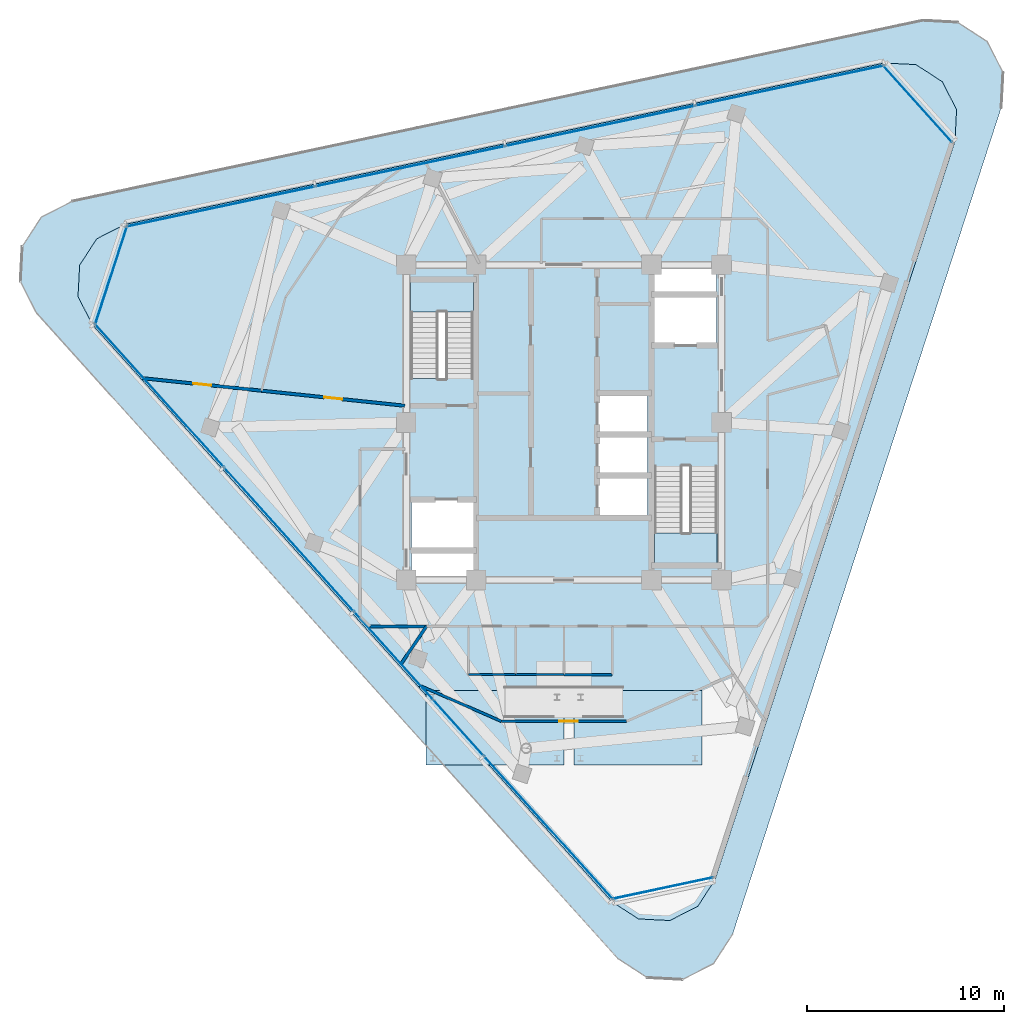
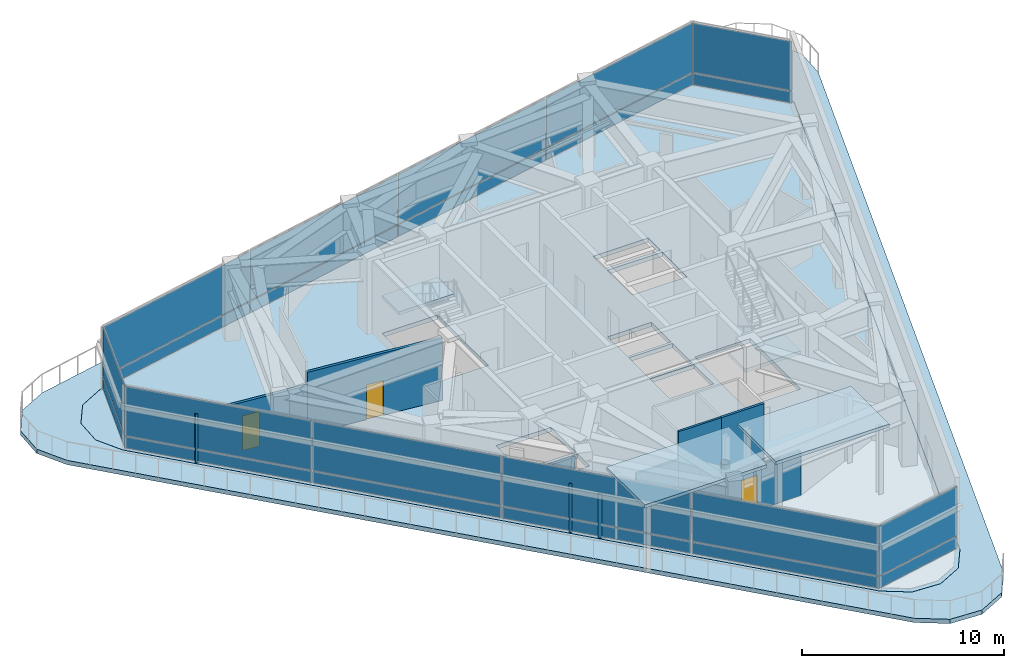
# One storey, part 8 of 15: 22 plates, 9 walls, 6 slabs, 3 doors, 3 openings, 7 elements without a shape of their own.
"""IFC4 building model written with IfcOpenShell, lengths in metres."""

from ifc_helpers import new_model, si_unit, direction, frame, frame_2d, origin, origin_2d, place, context, subcontext, project, spatial, polyline, rectangle, outline, extrude, material, layer, layer_set, type_object, element, fill, aggregate, save


model = new_model("IFC4")

# Units and contexts
model_context = context("Model", 3, precision=1e-05, world=origin(), true_north=direction((0.0, 1.0)))
body_context = subcontext(model_context, "Body", "Model", "MODEL_VIEW")
ifc_project = project(units=[si_unit("LENGTHUNIT", "METRE"), si_unit("AREAUNIT", "SQUARE_METRE"), si_unit("VOLUMEUNIT", "CUBIC_METRE"), si_unit("PLANEANGLEUNIT", "RADIAN"), si_unit("MASSUNIT", "GRAM", prefix="KILO")], contexts=[model_context])

# Site, building, storey
site_placement = place(None, origin())
site = spatial("IfcSite", under=ifc_project, at=site_placement, CompositionType="ELEMENT")
building_placement = place(site_placement, origin())
building = spatial("IfcBuilding", under=site, at=building_placement, Name="Terralouvre Media Tower", CompositionType="ELEMENT")
storey_placement = place(building_placement, frame((0.0, 0.0, 312.800048828125)))
storey = spatial("IfcBuildingStorey", under=building, at=storey_placement, Name="L81", CompositionType="ELEMENT", Elevation=312.800048828125)

# Slabs
ifc_material_1 = material(Name="Extruded terracotta baguette sunshade louvres", Category="masonry")
ifc_layer_1 = layer(ifc_material_1, 0.199951171875, Name="Podium Garden Pergola Pavilion Roof Slab RF-PAV1")
ifc_layer_set_1 = layer_set([ifc_layer_1], Name="Extruded terracotta baguette sunshade louvres")
slab_type_1 = type_object("IfcSlabType", Name="Podium Garden Pergola Pavilion Roof Slab RF-PAV1", PredefinedType="ROOF", material=ifc_layer_set_1)
slab_1_placement = place(storey_placement, frame((0.0, 0.0, 4.099853515625)))
element("IfcSlab", 1, at=slab_1_placement, inside=storey, type_object=slab_type_1, Name="Crown Terrace Pergola Canopy West", PredefinedType="ROOF", context=body_context, shape_type="SweptSolid", body=[
    extrude(outline(polyline([(-7.0, -17.39990234375), (0.0, -17.39990234375), (0.0, -13.60009765625), (-7.0, -13.60009765625), (-7.0, -17.39990234375)])), origin(), (0.0, 0.0, 1.0), 0.2001953125),
])
slab_2_placement = place(storey_placement, frame((0.0, 0.0, 4.099853515625)))
element("IfcSlab", 2, at=slab_2_placement, inside=storey, type_object=slab_type_1, Name="Crown Terrace Pergola Canopy East", PredefinedType="ROOF", context=body_context, shape_type="SweptSolid", body=[
    extrude(outline(polyline([(0.5, -17.39990234375), (7.0, -17.39990234375), (7.0, -13.60009765625), (0.5, -13.60009765625), (0.5, -17.39990234375)])), origin(), (0.0, 0.0, 1.0), 0.2001953125),
])
ifc_material_2 = material(Name="Concrete C45/55", Category="concrete")
ifc_layer_2 = layer(ifc_material_2, 0.260009765625, Name="Raised Podium and Conservatory Roof Garden Slab S-RFG260")
ifc_layer_set_2 = layer_set([ifc_layer_2], Name="Concrete C45/55")
slab_type_2 = type_object("IfcSlabType", Name="Raised Podium and Conservatory Roof Garden Slab S-RFG260", PredefinedType="ROOF", material=ifc_layer_set_2)
slab_3_placement = place(storey_placement, frame((0.0, 0.0, -0.260009765625), z_axis=(0.0, 0.0, 1.0), x_axis=(0.309016994375, 0.951056516295, 0.0)))
element("IfcSlab", 3, at=slab_3_placement, inside=storey, type_object=slab_type_2, Name="L81 Crown Roof Garden Terrace Deck", PredefinedType="ROOF", context=body_context, shape_type="SweptSolid", body=[
    extrude(outline(polyline([(-25.0390625, -11.016357421875), (-25.5, -12.736328125), (-25.0390625, -14.456298828125), (-23.780029296875, -15.715576171875), (-22.06005859375, -16.17626953125), (22.06005859375, -16.17626953125), (23.780029296875, -15.715576171875), (25.0390625, -14.456298828125), (25.5, -12.736328125), (25.0390625, -11.016357421875), (2.97900390625, 27.192626953125), (1.719970703125, 28.451904296875), (0.0, 28.91259765625), (-1.719970703125, 28.451904296875), (-2.97900390625, 27.192626953125), (-25.0390625, -11.016357421875)]), holes=[polyline([(-22.38916015625, -9.84423828125), (-2.669189453125, 24.311767578125), (-2.6689453125, 24.311767578125), (-2.6689453125, 24.31201171875), (-2.668701171875, 24.31201171875), (-1.54150390625, 25.439453125), (-1.541259765625, 25.439697265625), (-1.541015625, 25.439697265625), (-1.541015625, 25.43994140625), (-1.540771484375, 25.43994140625), (-1.54052734375, 25.43994140625), (-0.00048828125, 25.8525390625), (-0.000244140625, 25.852783203125), (0.0, 25.852783203125), (0.0, 25.852783203125), (0.000244140625, 25.852783203125), (0.00048828125, 25.8525390625), (1.54052734375, 25.43994140625), (1.540771484375, 25.43994140625), (1.541015625, 25.43994140625), (1.541015625, 25.439697265625), (1.541259765625, 25.439697265625), (1.54150390625, 25.439453125), (2.668701171875, 24.31201171875), (2.6689453125, 24.31201171875), (2.6689453125, 24.311767578125), (2.669189453125, 24.311767578125), (22.38916015625, -9.84423828125), (22.38916015625, -9.844482421875), (22.38916015625, -9.8447265625), (22.389404296875, -9.8447265625), (22.802001953125, -11.384765625), (22.802001953125, -11.385009765625), (22.802001953125, -11.38525390625), (22.802001953125, -11.385498046875), (22.802001953125, -11.3857421875), (22.802001953125, -11.385986328125), (22.389404296875, -12.92578125), (22.38916015625, -12.926025390625), (22.38916015625, -12.92626953125), (22.388916015625, -12.926513671875), (22.388916015625, -12.926513671875), (22.388671875, -12.9267578125), (21.261474609375, -14.05419921875), (21.26123046875, -14.05419921875), (21.260986328125, -14.054443359375), (21.260986328125, -14.054443359375), (21.2607421875, -14.0546875), (21.260498046875, -14.0546875), (19.720458984375, -14.46728515625), (19.720458984375, -14.46728515625), (19.72021484375, -14.46728515625), (19.719970703125, -14.46728515625), (-19.719970703125, -14.46728515625), (-19.72021484375, -14.46728515625), (-19.720458984375, -14.46728515625), (-19.720458984375, -14.46728515625), (-21.260498046875, -14.0546875), (-21.2607421875, -14.0546875), (-21.260986328125, -14.054443359375), (-21.260986328125, -14.054443359375), (-21.26123046875, -14.05419921875), (-21.261474609375, -14.05419921875), (-22.388671875, -12.9267578125), (-22.388916015625, -12.926513671875), (-22.38916015625, -12.926513671875), (-22.38916015625, -12.92626953125), (-22.38916015625, -12.926025390625), (-22.389404296875, -12.92578125), (-22.802001953125, -11.385986328125), (-22.802001953125, -11.3857421875), (-22.802001953125, -11.385498046875), (-22.802001953125, -11.38525390625), (-22.802001953125, -11.385009765625), (-22.802001953125, -11.384765625), (-22.389404296875, -9.8447265625), (-22.38916015625, -9.8447265625), (-22.38916015625, -9.844482421875), (-22.38916015625, -9.84423828125)])]), origin(), (0.0, 0.0, 1.0), 0.260009765625),
])

# Stair, slab
ifc_material_3 = material(Name="Concrete C45/55", Category="concrete")
stair_type_1 = type_object("IfcStairType", Name="Dogleg Stair Assembly ST-01", PredefinedType="HALF_TURN_STAIR", material=ifc_material_3)
stair_1_placement = place(storey_placement, origin())
stair_1 = element("IfcStair", 4, at=stair_1_placement, inside=storey, type_object=stair_type_1, Name="L81 Core Pressurised Exit Stair ST-01", PredefinedType="HALF_TURN_STAIR")
ifc_material_4 = material(Name="Concrete C45/55", Category="concrete")
ifc_layer_3 = layer(ifc_material_4, 0.199951171875, Name="Reinforced Concrete Stair Half-Landing SL-LD1")
ifc_layer_set_3 = layer_set([ifc_layer_3], Name="Concrete C45/55")
slab_type_3 = type_object("IfcSlabType", Name="Reinforced Concrete Stair Half-Landing SL-LD1", PredefinedType="LANDING", material=ifc_layer_set_3)
slab_4_placement = place(storey_placement, frame((0.0, 0.0, 2.099853515625)))
slab_4 = element("IfcSlab", 5, at=slab_4_placement, type_object=slab_type_3, Name="ST-01 landing 1", PredefinedType="LANDING", context=body_context, shape_type="SweptSolid", body=[
    extrude(outline(polyline([(-4.60009765625, 5.60009765625), (-4.60009765625, 7.260009765625), (-7.780029296875, 7.260009765625), (-7.780029296875, 5.60009765625), (-4.60009765625, 5.60009765625)])), origin(), (0.0, 0.0, 1.0), 0.2001953125),
])
aggregate(stair_1, [slab_4])

ifc_material_5 = material(Name="Concrete C45/55", Category="concrete")
stair_type_2 = type_object("IfcStairType", Name="Dogleg Stair Assembly ST-02", PredefinedType="HALF_TURN_STAIR", material=ifc_material_5)
stair_2_placement = place(storey_placement, origin())
stair_2 = element("IfcStair", 6, at=stair_2_placement, inside=storey, type_object=stair_type_2, Name="L81 Core Pressurised Exit Stair ST-02", PredefinedType="HALF_TURN_STAIR")
slab_5_placement = place(storey_placement, frame((0.0, 0.0, 2.099853515625)))
slab_5 = element("IfcSlab", 7, at=slab_5_placement, type_object=slab_type_3, Name="ST-02 landing 1", PredefinedType="LANDING", context=body_context, shape_type="SweptSolid", body=[
    extrude(outline(polyline([(4.60009765625, -5.60009765625), (4.60009765625, -7.260009765625), (7.780029296875, -7.260009765625), (7.780029296875, -5.60009765625), (4.60009765625, -5.60009765625)])), origin(), (0.0, 0.0, 1.0), 0.2001953125),
])
aggregate(stair_2, [slab_5])

# Curtain wall, plates
ifc_material_6 = material(Name="Low-iron laminated double glazing with solar-control coating", Category="glass")
ifc_layer_4 = layer(ifc_material_6, 0.1650390625, Name="Rounded Wind-Corner Curved Glazing CW-04")
ifc_layer_set_4 = layer_set([ifc_layer_4], Name="Low-iron laminated double glazing with solar-control coating")
curtain_wall_type_1 = type_object("IfcCurtainWallType", Name="Rounded Wind-Corner Curved Glazing CW-04", PredefinedType="NOTDEFINED", material=ifc_layer_set_4)
curtain_wall_1_placement = place(storey_placement, origin())
curtain_wall_1 = element("IfcCurtainWall", 8, at=curtain_wall_1_placement, inside=storey, type_object=curtain_wall_type_1, Name="L81 Rounded Wind-Corner Curtain Wall C0", PredefinedType="NOTDEFINED")
ifc_material_7 = material(Name="Low-iron laminated double glazing with solar-control coating", Category="glass")
ifc_layer_5 = layer(ifc_material_7, 0.0400390625, Name="Rounded Corner Laminated Vision Panel CWP-03")
ifc_layer_set_5 = layer_set([ifc_layer_5], Name="Low-iron laminated double glazing with solar-control coating")
plate_type_1 = type_object("IfcPlateType", Name="Rounded Corner Laminated Vision Panel CWP-03", PredefinedType="CURTAIN_PANEL", material=ifc_layer_set_5)
plate_1_placement = place(storey_placement, frame((5.025390625, -23.642578125, 0.074951171875), z_axis=(0.0, 0.0, 1.0), x_axis=(0.978147596797, 0.207911709341, 0.0)))
plate_1 = element("IfcPlate", 9, at=plate_1_placement, type_object=plate_type_1, Name="CW-04 panel 1.1", PredefinedType="CURTAIN_PANEL", context=body_context, shape_type="SweptSolid", body=[
    extrude(rectangle(XDim=5.184814453125, YDim=0.035888671875, at=origin_2d()), origin(), (0.0, 0.0, 1.0), 0.6875),
])
plate_2_placement = place(storey_placement, frame((5.025390625, -23.642578125, 0.83740234375), z_axis=(0.0, 0.0, 1.0), x_axis=(0.978147596797, 0.207911709341, 0.0)))
plate_2 = element("IfcPlate", 10, at=plate_2_placement, type_object=plate_type_1, Name="CW-04 panel 1.2", PredefinedType="CURTAIN_PANEL", context=body_context, shape_type="SweptSolid", body=[
    extrude(rectangle(XDim=5.184814453125, YDim=0.035888671875, at=origin_2d()), origin(), (0.0, 0.0, 1.0), 2.967529296875),
])
aggregate(curtain_wall_1, [plate_1, plate_2])

curtain_wall_2_placement = place(storey_placement, origin())
curtain_wall_2 = element("IfcCurtainWall", 11, at=curtain_wall_2_placement, inside=storey, type_object=curtain_wall_type_1, Name="L81 Rounded Wind-Corner Curtain Wall C1", PredefinedType="NOTDEFINED")
plate_3_placement = place(storey_placement, frame((17.96240234375, 16.17333984375, 0.074951171875), z_axis=(0.0, 0.0, 1.0), x_axis=(-0.669131039347, 0.743144435613, 0.0)))
plate_3 = element("IfcPlate", 12, at=plate_3_placement, type_object=plate_type_1, Name="CW-04 panel 1.1", PredefinedType="CURTAIN_PANEL", context=body_context, shape_type="SweptSolid", body=[
    extrude(rectangle(XDim=5.184814453125, YDim=0.035888671875, at=origin_2d()), origin(), (0.0, 0.0, 1.0), 0.6875),
])
plate_4_placement = place(storey_placement, frame((17.96240234375, 16.17333984375, 0.83740234375), z_axis=(0.0, 0.0, 1.0), x_axis=(-0.669131039347, 0.743144435613, 0.0)))
plate_4 = element("IfcPlate", 13, at=plate_4_placement, type_object=plate_type_1, Name="CW-04 panel 1.2", PredefinedType="CURTAIN_PANEL", context=body_context, shape_type="SweptSolid", body=[
    extrude(rectangle(XDim=5.184814453125, YDim=0.035888671875, at=origin_2d()), origin(), (0.0, 0.0, 1.0), 2.967529296875),
])
aggregate(curtain_wall_2, [plate_3, plate_4])

curtain_wall_3_placement = place(storey_placement, origin())
curtain_wall_3 = element("IfcCurtainWall", 14, at=curtain_wall_3_placement, inside=storey, type_object=curtain_wall_type_1, Name="L81 Rounded Wind-Corner Curtain Wall C2", PredefinedType="NOTDEFINED")
plate_5_placement = place(storey_placement, frame((-22.98779296875, 7.46923828125, 0.074951171875), z_axis=(0.0, 0.0, 1.0), x_axis=(-0.309017703105, -0.951056286014, 0.0)))
plate_5 = element("IfcPlate", 15, at=plate_5_placement, type_object=plate_type_1, Name="CW-04 panel 1.1", PredefinedType="CURTAIN_PANEL", context=body_context, shape_type="SweptSolid", body=[
    extrude(rectangle(XDim=5.184814453125, YDim=0.035888671875, at=origin_2d()), origin(), (0.0, 0.0, 1.0), 0.6875),
])
plate_6_placement = place(storey_placement, frame((-22.98779296875, 7.46923828125, 0.83740234375), z_axis=(0.0, 0.0, 1.0), x_axis=(-0.309017703105, -0.951056286014, 0.0)))
plate_6 = element("IfcPlate", 16, at=plate_6_placement, type_object=plate_type_1, Name="CW-04 panel 1.2", PredefinedType="CURTAIN_PANEL", context=body_context, shape_type="SweptSolid", body=[
    extrude(rectangle(XDim=5.184814453125, YDim=0.035888671875, at=origin_2d()), origin(), (0.0, 0.0, 1.0), 2.967529296875),
])
aggregate(curtain_wall_3, [plate_5, plate_6])

# Slab
ifc_material_8 = material(Name="Concrete C45/55", Category="concrete")
ifc_layer_6 = layer(ifc_material_8, 0.260009765625, Name="Transfer Indoor Floor Slab S-TRN260")
ifc_layer_set_6 = layer_set([ifc_layer_6], Name="Concrete C45/55")
slab_type_4 = type_object("IfcSlabType", Name="Transfer Indoor Floor Slab S-TRN260", PredefinedType="FLOOR", material=ifc_layer_set_6)
slab_6_placement = place(storey_placement, frame((0.0, 0.0, -0.260009765625), z_axis=(0.0, 0.0, 1.0), x_axis=(0.309016994375, 0.951056516295, 0.0)))
element("IfcSlab", 17, at=slab_6_placement, inside=storey, type_object=slab_type_4, Name="L81 Structural Floor Slab", PredefinedType="FLOOR", context=body_context, shape_type="SweptSolid", body=[
    extrude(outline(polyline([(-22.387451171875, -9.845458984375), (-22.800048828125, -11.38525390625), (-22.387451171875, -12.92529296875), (-21.260009765625, -14.052734375), (-19.719970703125, -14.46533203125), (19.719970703125, -14.46533203125), (21.260009765625, -14.052734375), (22.387451171875, -12.92529296875), (22.800048828125, -11.38525390625), (22.387451171875, -9.845458984375), (2.66748046875, 24.310791015625), (1.5400390625, 25.43798828125), (0.0, 25.8505859375), (-1.5400390625, 25.43798828125), (-2.667236328125, 24.310791015625), (-22.387451171875, -9.845458984375)]), holes=[polyline([(-7.698486328125, 2.33544921875), (-8.839599609375, 1.964599609375), (-9.813232421875, 4.96044921875), (-8.671875, 5.3310546875), (-7.698486328125, 2.33544921875)]), polyline([(-5.17822265625, 3.154296875), (-7.50830078125, 2.397216796875), (-8.481689453125, 5.39306640625), (-6.151611328125, 6.150146484375), (-5.17822265625, 3.154296875)]), polyline([(-5.483154296875, -6.618408203125), (-0.713623046875, -5.068603515625), (0.26904296875, -8.093017578125), (-4.50048828125, -9.642578125), (-5.483154296875, -6.618408203125)]), polyline([(-1.33056640625, -4.901123046875), (-3.17578125, -5.50048828125), (-3.9482421875, -3.122802734375), (-2.103271484375, -2.5234375), (-1.33056640625, -4.901123046875)]), polyline([(0.66650390625, -4.252197265625), (-1.178466796875, -4.8515625), (-1.950927734375, -2.473876953125), (-0.10595703125, -1.87451171875), (0.66650390625, -4.252197265625)]), polyline([(2.663818359375, -3.603271484375), (0.81884765625, -4.20263671875), (0.046142578125, -1.824951171875), (1.891357421875, -1.2255859375), (2.663818359375, -3.603271484375)]), polyline([(5.483154296875, 6.618408203125), (0.713623046875, 5.068603515625), (-0.26904296875, 8.093017578125), (4.50048828125, 9.642578125), (5.483154296875, 6.618408203125)]), polyline([(6.151611328125, -6.150146484375), (5.17822265625, -3.154296875), (7.50830078125, -2.397216796875), (8.481689453125, -5.39306640625), (6.151611328125, -6.150146484375)]), polyline([(8.671875, -5.3310546875), (7.698486328125, -2.33544921875), (8.839599609375, -1.964599609375), (9.813232421875, -4.96044921875), (8.671875, -5.3310546875)])]), origin(), (0.0, 0.0, 1.0), 0.260009765625),
])

# Curtain wall, plates
ifc_material_9 = material(Name="Low-iron laminated double glazing with solar-control coating", Category="glass")
ifc_layer_7 = layer(ifc_material_9, 0.1650390625, Name="Faceted Glass-Point Crown Curtain Wall CW-06")
ifc_layer_set_7 = layer_set([ifc_layer_7], Name="Low-iron laminated double glazing with solar-control coating")
curtain_wall_type_2 = type_object("IfcCurtainWallType", Name="Faceted Glass-Point Crown Curtain Wall CW-06", PredefinedType="NOTDEFINED", material=ifc_layer_set_7)
curtain_wall_4_placement = place(storey_placement, origin())
curtain_wall_4 = element("IfcCurtainWall", 18, at=curtain_wall_4_placement, inside=storey, type_object=curtain_wall_type_2, Name="L81 Facade Curtain Wall F1", PredefinedType="NOTDEFINED")
ifc_material_10 = material(Name="Low-iron laminated double glazing with solar-control coating", Category="glass")
ifc_layer_8 = layer(ifc_material_10, 0.035888671875, Name="Vision Double-Glazed Unit CWP-01")
ifc_layer_set_8 = layer_set([ifc_layer_8], Name="Low-iron laminated double glazing with solar-control coating")
plate_type_2 = type_object("IfcPlateType", Name="Vision Double-Glazed Unit CWP-01", PredefinedType="CURTAIN_PANEL", material=ifc_layer_set_8)
plate_7_placement = place(storey_placement, frame((11.4658203125, 17.10302734375, 0.074951171875), z_axis=(0.0, 0.0, 1.0), x_axis=(-0.978147595164, -0.207911717023, 0.0)))
plate_7 = element("IfcPlate", 19, at=plate_7_placement, type_object=plate_type_2, Name="CW-06 panel 1.1", PredefinedType="CURTAIN_PANEL", context=body_context, shape_type="SweptSolid", body=[
    extrude(rectangle(XDim=9.74755859375, YDim=0.035888671875, at=origin_2d()), origin(), (0.0, 0.0, 1.0), 0.6875),
])
plate_8_placement = place(storey_placement, frame((11.4658203125, 17.10302734375, 0.83740234375), z_axis=(0.0, 0.0, 1.0), x_axis=(-0.978147595164, -0.207911717023, 0.0)))
plate_8 = element("IfcPlate", 20, at=plate_8_placement, type_object=plate_type_2, Name="CW-06 panel 1.2", PredefinedType="CURTAIN_PANEL", context=body_context, shape_type="SweptSolid", body=[
    extrude(rectangle(XDim=9.74755859375, YDim=0.035888671875, at=origin_2d()), origin(), (0.0, 0.0, 1.0), 2.967529296875),
])
plate_9_placement = place(storey_placement, frame((1.839599609375, 15.056884765625, 0.074951171875), z_axis=(0.0, 0.0, 1.0), x_axis=(-0.978147595164, -0.207911717023, 0.0)))
plate_9 = element("IfcPlate", 21, at=plate_9_placement, type_object=plate_type_2, Name="CW-06 panel 2.1", PredefinedType="CURTAIN_PANEL", context=body_context, shape_type="SweptSolid", body=[
    extrude(rectangle(XDim=9.784912109375, YDim=0.035888671875, at=origin_2d()), origin(), (0.0, 0.0, 1.0), 0.6875),
])
plate_10_placement = place(storey_placement, frame((1.839599609375, 15.056884765625, 0.83740234375), z_axis=(0.0, 0.0, 1.0), x_axis=(-0.978147595164, -0.207911717023, 0.0)))
plate_10 = element("IfcPlate", 22, at=plate_10_placement, type_object=plate_type_2, Name="CW-06 panel 2.2", PredefinedType="CURTAIN_PANEL", context=body_context, shape_type="SweptSolid", body=[
    extrude(rectangle(XDim=9.784912109375, YDim=0.035888671875, at=origin_2d()), origin(), (0.0, 0.0, 1.0), 2.967529296875),
])
plate_11_placement = place(storey_placement, frame((-7.804931640625, 13.0068359375, 0.074951171875), z_axis=(0.0, 0.0, 1.0), x_axis=(-0.978147595164, -0.207911717023, 0.0)))
plate_11 = element("IfcPlate", 23, at=plate_11_placement, type_object=plate_type_2, Name="CW-06 panel 3.1", PredefinedType="CURTAIN_PANEL", context=body_context, shape_type="SweptSolid", body=[
    extrude(rectangle(XDim=9.784912109375, YDim=0.035888671875, at=origin_2d()), origin(), (0.0, 0.0, 1.0), 0.6875),
])
plate_12_placement = place(storey_placement, frame((-7.804931640625, 13.0068359375, 0.83740234375), z_axis=(0.0, 0.0, 1.0), x_axis=(-0.978147595164, -0.207911717023, 0.0)))
plate_12 = element("IfcPlate", 24, at=plate_12_placement, type_object=plate_type_2, Name="CW-06 panel 3.2", PredefinedType="CURTAIN_PANEL", context=body_context, shape_type="SweptSolid", body=[
    extrude(rectangle(XDim=9.784912109375, YDim=0.035888671875, at=origin_2d()), origin(), (0.0, 0.0, 1.0), 2.967529296875),
])
plate_13_placement = place(storey_placement, frame((-17.43115234375, 10.960693359375, 0.074951171875), z_axis=(0.0, 0.0, 1.0), x_axis=(-0.978147595164, -0.207911717023, 0.0)))
plate_13 = element("IfcPlate", 25, at=plate_13_placement, type_object=plate_type_2, Name="CW-06 panel 4.1", PredefinedType="CURTAIN_PANEL", context=body_context, shape_type="SweptSolid", body=[
    extrude(rectangle(XDim=9.74755859375, YDim=0.035888671875, at=origin_2d()), origin(), (0.0, 0.0, 1.0), 0.6875),
])
plate_14_placement = place(storey_placement, frame((-17.43115234375, 10.960693359375, 0.83740234375), z_axis=(0.0, 0.0, 1.0), x_axis=(-0.978147595164, -0.207911717023, 0.0)))
plate_14 = element("IfcPlate", 26, at=plate_14_placement, type_object=plate_type_2, Name="CW-06 panel 4.2", PredefinedType="CURTAIN_PANEL", context=body_context, shape_type="SweptSolid", body=[
    extrude(rectangle(XDim=9.74755859375, YDim=0.035888671875, at=origin_2d()), origin(), (0.0, 0.0, 1.0), 2.967529296875),
])
aggregate(curtain_wall_4, [plate_7, plate_8, plate_9, plate_10, plate_11, plate_12, plate_13, plate_14])

curtain_wall_5_placement = place(storey_placement, origin())
curtain_wall_5 = element("IfcCurtainWall", 27, at=curtain_wall_5_placement, inside=storey, type_object=curtain_wall_type_2, Name="L81 Facade Curtain Wall F2", PredefinedType="NOTDEFINED")
plate_15_placement = place(storey_placement, frame((-20.544677734375, 1.378173828125, 0.074951171875), z_axis=(0.0, 0.0, 1.0), x_axis=(0.669130754947, -0.743144691688, 0.0)))
plate_15 = element("IfcPlate", 28, at=plate_15_placement, type_object=plate_type_2, Name="CW-06 panel 1.1", PredefinedType="CURTAIN_PANEL", context=body_context, shape_type="SweptSolid", body=[
    extrude(rectangle(XDim=9.74755859375, YDim=0.035888671875, at=origin_2d()), origin(), (0.0, 0.0, 1.0), 0.6875),
])
plate_16_placement = place(storey_placement, frame((-20.544677734375, 1.378173828125, 0.83740234375), z_axis=(0.0, 0.0, 1.0), x_axis=(0.669130754947, -0.743144691688, 0.0)))
plate_16 = element("IfcPlate", 29, at=plate_16_placement, type_object=plate_type_2, Name="CW-06 panel 1.2", PredefinedType="CURTAIN_PANEL", context=body_context, shape_type="SweptSolid", body=[
    extrude(rectangle(XDim=9.74755859375, YDim=0.035888671875, at=origin_2d()), origin(), (0.0, 0.0, 1.0), 2.967529296875),
])
plate_17_placement = place(storey_placement, frame((-13.95947265625, -5.935302734375, 0.074951171875), z_axis=(0.0, 0.0, 1.0), x_axis=(0.669130754947, -0.743144691688, 0.0)))
plate_17 = element("IfcPlate", 30, at=plate_17_placement, type_object=plate_type_2, Name="CW-06 panel 2.1", PredefinedType="CURTAIN_PANEL", context=body_context, shape_type="SweptSolid", body=[
    extrude(rectangle(XDim=9.784912109375, YDim=0.035888671875, at=origin_2d()), origin(), (0.0, 0.0, 1.0), 0.6875),
])
plate_18_placement = place(storey_placement, frame((-13.95947265625, -5.935302734375, 0.83740234375), z_axis=(0.0, 0.0, 1.0), x_axis=(0.669130754947, -0.743144691688, 0.0)))
plate_18 = element("IfcPlate", 31, at=plate_18_placement, type_object=plate_type_2, Name="CW-06 panel 2.2", PredefinedType="CURTAIN_PANEL", context=body_context, shape_type="SweptSolid", body=[
    extrude(rectangle(XDim=9.784912109375, YDim=0.035888671875, at=origin_2d()), origin(), (0.0, 0.0, 1.0), 2.967529296875),
])
plate_19_placement = place(storey_placement, frame((-7.36181640625, -13.2626953125, 0.074951171875), z_axis=(0.0, 0.0, 1.0), x_axis=(0.669130754947, -0.743144691688, 0.0)))
plate_19 = element("IfcPlate", 32, at=plate_19_placement, type_object=plate_type_2, Name="CW-06 panel 3.1", PredefinedType="CURTAIN_PANEL", context=body_context, shape_type="SweptSolid", body=[
    extrude(rectangle(XDim=9.784912109375, YDim=0.035888671875, at=origin_2d()), origin(), (0.0, 0.0, 1.0), 0.6875),
])
plate_20_placement = place(storey_placement, frame((-7.36181640625, -13.2626953125, 0.83740234375), z_axis=(0.0, 0.0, 1.0), x_axis=(0.669130754947, -0.743144691688, 0.0)))
plate_20 = element("IfcPlate", 33, at=plate_20_placement, type_object=plate_type_2, Name="CW-06 panel 3.2", PredefinedType="CURTAIN_PANEL", context=body_context, shape_type="SweptSolid", body=[
    extrude(rectangle(XDim=9.784912109375, YDim=0.035888671875, at=origin_2d()), origin(), (0.0, 0.0, 1.0), 2.967529296875),
])
plate_21_placement = place(storey_placement, frame((-0.77685546875, -20.576171875, 0.074951171875), z_axis=(0.0, 0.0, 1.0), x_axis=(0.669130754947, -0.743144691688, 0.0)))
plate_21 = element("IfcPlate", 34, at=plate_21_placement, type_object=plate_type_2, Name="CW-06 panel 4.1", PredefinedType="CURTAIN_PANEL", context=body_context, shape_type="SweptSolid", body=[
    extrude(rectangle(XDim=9.74755859375, YDim=0.035888671875, at=origin_2d()), origin(), (0.0, 0.0, 1.0), 0.6875),
])
plate_22_placement = place(storey_placement, frame((-0.77685546875, -20.576171875, 0.83740234375), z_axis=(0.0, 0.0, 1.0), x_axis=(0.669130754947, -0.743144691688, 0.0)))
plate_22 = element("IfcPlate", 35, at=plate_22_placement, type_object=plate_type_2, Name="CW-06 panel 4.2", PredefinedType="CURTAIN_PANEL", context=body_context, shape_type="SweptSolid", body=[
    extrude(rectangle(XDim=9.74755859375, YDim=0.035888671875, at=origin_2d()), origin(), (0.0, 0.0, 1.0), 2.967529296875),
])
aggregate(curtain_wall_5, [plate_15, plate_16, plate_17, plate_18, plate_19, plate_20, plate_21, plate_22])

# Walls
ifc_material_11 = material(Name="Fire-rated gypsum board drywall partition")
ifc_layer_9 = layer(ifc_material_11, 0.135009765625, Name="Newsroom Acoustic Partition PT-135")
ifc_layer_set_9 = layer_set([ifc_layer_9], Name="Fire-rated gypsum board drywall partition")
wall_type_1 = type_object("IfcWallType", Name="Newsroom Acoustic Partition PT-135", PredefinedType="PARTITIONING", material=ifc_layer_set_9)
wall_1_placement = place(storey_placement, frame((2.449951171875, -12.800048828125, 0.0), z_axis=(0.0, 0.0, 1.0), x_axis=(-1.0, 0.0, 0.0)))
element("IfcWall", 36, at=wall_1_placement, inside=storey, type_object=wall_type_1, Name="L81 Interior Partition 033", PredefinedType="PARTITIONING", context=body_context, shape_type="SweptSolid", body=[
    extrude(rectangle(XDim=2.449951171875, YDim=0.135009765625, at=frame_2d((1.22509765625, 0.0))), origin(), (0.0, 0.0, 1.0), 4.3798828125),
])
wall_2_placement = place(storey_placement, frame((-7.339599609375, -13.34716796875, 0.0), z_axis=(0.0, 0.0, 1.0), x_axis=(0.915878357566, -0.401455893147, 0.0)))
element("IfcWall", 37, at=wall_2_placement, inside=storey, type_object=wall_type_1, Name="L81 Interior Partition 034", PredefinedType="PARTITIONING", context=body_context, shape_type="SweptSolid", body=[
    extrude(rectangle(XDim=4.542724609375, YDim=0.135009765625, at=frame_2d((2.271484375, 0.0))), origin(), (0.0, 0.0, 1.0), 2.68505859375),
])

# Wall, opening, door
wall_3_placement = place(storey_placement, frame((-3.178955078125, -15.1708984375, 0.0), z_axis=(0.0, 0.0, 1.0), x_axis=(1.0, 0.0, 0.0)))
wall_3 = element("IfcWall", 38, at=wall_3_placement, inside=storey, type_object=wall_type_1, Name="L81 Interior Partition 035", PredefinedType="PARTITIONING", context=body_context, shape_type="SweptSolid", body=[
    extrude(rectangle(XDim=6.35791015625, YDim=0.135009765625, at=frame_2d((3.178955078125, 0.0))), origin(), (0.0, 0.0, 1.0), 2.68505859375),
])
opening_1_placement = place(wall_3_placement, frame((2.949951171875, 0.0, 0.0)))
opening_1 = element("IfcOpeningElement", 39, at=opening_1_placement, cuts=wall_3, Name="Opening ID-03-92X210", PredefinedType="OPENING", context=body_context, shape_type="SweptSolid", body=[
    extrude(rectangle(XDim=0.919921875, YDim=2.10009765625, at=frame_2d((0.4599609375, 1.050048828125))), frame((0.0, 0.077392578125, 0.0), z_axis=(0.0, -1.0, 0.0), x_axis=(1.0, 0.0, 0.0)), (0.0, 0.0, 1.0), 0.155029296875),
])
ifc_material_12 = material(Name="Engineered hardwood acoustic timber leaf", Category="wood")
door_type = type_object("IfcDoorType", Name="Accessible Restroom and Suite Door ID-03 (920x2100)", OperationType="NOTDEFINED", PredefinedType="DOOR", material=ifc_material_12)
door_1_placement = place(opening_1_placement, origin())
door_1 = element("IfcDoor", 40, at=door_1_placement, inside=storey, type_object=door_type, Name="L81 Crown Botanical Conservatory Garden 4 Door", OperationType="SINGLE_SWING_LEFT", OverallHeight=2.10009765625, OverallWidth=0.919921875, PredefinedType="DOOR", context=body_context, shape_type="SweptSolid", body=[
    extrude(rectangle(XDim=0.919921875, YDim=2.10009765625, at=frame_2d((0.4599609375, 1.050048828125))), frame((0.0, 0.02490234375, 0.0), z_axis=(0.0, -1.0, 0.0), x_axis=(1.0, 0.0, 0.0)), (0.0, 0.0, 1.0), 0.050048828125),
])
fill(opening_1, door_1)

# Walls
ifc_material_13 = material(Name="Fire-rated gypsum board drywall partition")
ifc_layer_10 = layer(ifc_material_13, 0.114990234375, Name="Restroom and Pantry Partition PT-115")
ifc_layer_set_10 = layer_set([ifc_layer_10], Name="Fire-rated gypsum board drywall partition")
wall_type_2 = type_object("IfcWallType", Name="Restroom and Pantry Partition PT-115", PredefinedType="PARTITIONING", material=ifc_layer_set_10)
wall_4_placement = place(storey_placement, frame((-4.85009765625, -12.800048828125, 0.0), z_axis=(0.0, 0.0, 1.0), x_axis=(1.0, 0.0, 0.0)))
element("IfcWall", 41, at=wall_4_placement, inside=storey, type_object=wall_type_2, Name="L81 Interior Partition 029", PredefinedType="PARTITIONING", context=body_context, shape_type="SweptSolid", body=[
    extrude(rectangle(XDim=2.400146484375, YDim=0.114990234375, at=frame_2d((1.2001953125, 0.0))), origin(), (0.0, 0.0, 1.0), 2.68505859375),
])
wall_5_placement = place(storey_placement, frame((-2.449951171875, -12.800048828125, 0.0), z_axis=(0.0, 0.0, 1.0), x_axis=(1.0, 0.0, 0.0)))
element("IfcWall", 42, at=wall_5_placement, inside=storey, type_object=wall_type_2, Name="L81 Interior Partition 030", PredefinedType="PARTITIONING", context=body_context, shape_type="SweptSolid", body=[
    extrude(rectangle(XDim=2.449951171875, YDim=0.114990234375, at=frame_2d((1.22509765625, 0.0))), origin(), (0.0, 0.0, 1.0), 4.3798828125),
])
ifc_material_14 = material(Name="Fire-rated gypsum board drywall partition")
ifc_layer_11 = layer(ifc_material_14, 0.159912109375, Name="Studio Acoustic Rated Partition PT-160")
ifc_layer_set_11 = layer_set([ifc_layer_11], Name="Fire-rated gypsum board drywall partition")
wall_type_3 = type_object("IfcWallType", Name="Studio Acoustic Rated Partition PT-160", PredefinedType="PARTITIONING", material=ifc_layer_set_11)
wall_6_placement = place(storey_placement, frame((-9.85009765625, -10.35009765625, 0.0), z_axis=(0.0, 0.0, 1.0), x_axis=(1.0, 0.0, 0.0)))
element("IfcWall", 43, at=wall_6_placement, inside=storey, type_object=wall_type_3, Name="L81 Interior Partition 013", PredefinedType="PARTITIONING", context=body_context, shape_type="SweptSolid", body=[
    extrude(rectangle(XDim=2.869140625, YDim=0.159912109375, at=frame_2d((1.4345703125, 0.0))), origin(), (0.0, 0.0, 1.0), 2.96484375),
])
wall_7_placement = place(storey_placement, frame((-8.290283203125, -12.29150390625, 0.0), z_axis=(0.0, 0.0, 1.0), x_axis=(0.559143334877, 0.829071004838, 0.0)))
element("IfcWall", 44, at=wall_7_placement, inside=storey, type_object=wall_type_3, Name="L81 Interior Partition 024", PredefinedType="PARTITIONING", context=body_context, shape_type="SweptSolid", body=[
    extrude(rectangle(XDim=2.341552734375, YDim=0.159912109375, at=frame_2d((1.1708984375, 0.0))), origin(), (0.0, 0.0, 1.0), 2.96484375),
])

# Wall, opening, door
wall_8_placement = place(storey_placement, frame((-8.080078125, 0.849365234375, 0.0), z_axis=(0.0, 0.0, 1.0), x_axis=(-0.994529579664, 0.10445532621, 0.0)))
wall_8 = element("IfcWall", 45, at=wall_8_placement, inside=storey, type_object=wall_type_3, Name="L81 Interior Partition 025", PredefinedType="PARTITIONING", context=body_context, shape_type="SweptSolid", body=[
    extrude(rectangle(XDim=7.31103515625, YDim=0.159912109375, at=frame_2d((3.655517578125, 0.0))), origin(), (0.0, 0.0, 1.0), 3.764892578125),
])
opening_2_placement = place(wall_8_placement, frame((3.195556640625, 0.0, 0.0)))
opening_2 = element("IfcOpeningElement", 46, at=opening_2_placement, cuts=wall_8, Name="Opening ID-03-92X210", PredefinedType="OPENING", context=body_context, shape_type="SweptSolid", body=[
    extrude(rectangle(XDim=0.919921875, YDim=2.10009765625, at=frame_2d((0.4599609375, 1.050048828125))), frame((0.0, 0.08984375, 0.0), z_axis=(0.0, -1.0, 0.0), x_axis=(1.0, 0.0, 0.0)), (0.0, 0.0, 1.0), 0.179931640625),
])
door_2_placement = place(opening_2_placement, origin())
door_2 = element("IfcDoor", 47, at=door_2_placement, inside=storey, type_object=door_type, Name="L81 Artisanal Sky Tea Tasting Kitchen 6 Door", OperationType="SINGLE_SWING_RIGHT", OverallHeight=2.10009765625, OverallWidth=0.919921875, PredefinedType="DOOR", context=body_context, shape_type="SweptSolid", body=[
    extrude(rectangle(XDim=0.919921875, YDim=2.10009765625, at=frame_2d((0.4599609375, 1.050048828125))), frame((0.0, 0.02490234375, 0.0), z_axis=(0.0, -1.0, 0.0), x_axis=(1.0, 0.0, 0.0)), (0.0, 0.0, 1.0), 0.050048828125),
])
fill(opening_2, door_2)

wall_9_placement = place(storey_placement, frame((-15.35107421875, 1.613037109375, 0.0), z_axis=(0.0, 0.0, 1.0), x_axis=(-0.994512952154, 0.104613517277, 0.0)))
wall_9 = element("IfcWall", 48, at=wall_9_placement, inside=storey, type_object=wall_type_3, Name="L81 Interior Partition 026", PredefinedType="PARTITIONING", context=body_context, shape_type="SweptSolid", body=[
    extrude(rectangle(XDim=6.06298828125, YDim=0.159912109375, at=frame_2d((3.031494140625, 0.0))), origin(), (0.0, 0.0, 1.0), 2.96484375),
])
opening_3_placement = place(wall_9_placement, frame((2.571533203125, 0.0, 0.0)))
opening_3 = element("IfcOpeningElement", 49, at=opening_3_placement, cuts=wall_9, Name="Opening ID-03-92X210", PredefinedType="OPENING", context=body_context, shape_type="SweptSolid", body=[
    extrude(rectangle(XDim=0.919921875, YDim=2.10009765625, at=frame_2d((0.4599609375, 1.050048828125))), frame((0.0, 0.08984375, 0.0), z_axis=(0.0, -1.0, 0.0), x_axis=(1.0, 0.0, 0.0)), (0.0, 0.0, 1.0), 0.179931640625),
])
door_3_placement = place(opening_3_placement, origin())
door_3 = element("IfcDoor", 50, at=door_3_placement, inside=storey, type_object=door_type, Name="L81 Summit Press Symposium Boardroom 7 Door", OperationType="SINGLE_SWING_LEFT", OverallHeight=2.10009765625, OverallWidth=0.919921875, PredefinedType="DOOR", context=body_context, shape_type="SweptSolid", body=[
    extrude(rectangle(XDim=0.919921875, YDim=2.10009765625, at=frame_2d((0.4599609375, 1.050048828125))), frame((0.0, 0.02490234375, 0.0), z_axis=(0.0, -1.0, 0.0), x_axis=(1.0, 0.0, 0.0)), (0.0, 0.0, 1.0), 0.050048828125),
])
fill(opening_3, door_3)

save(model, "model.ifc")
